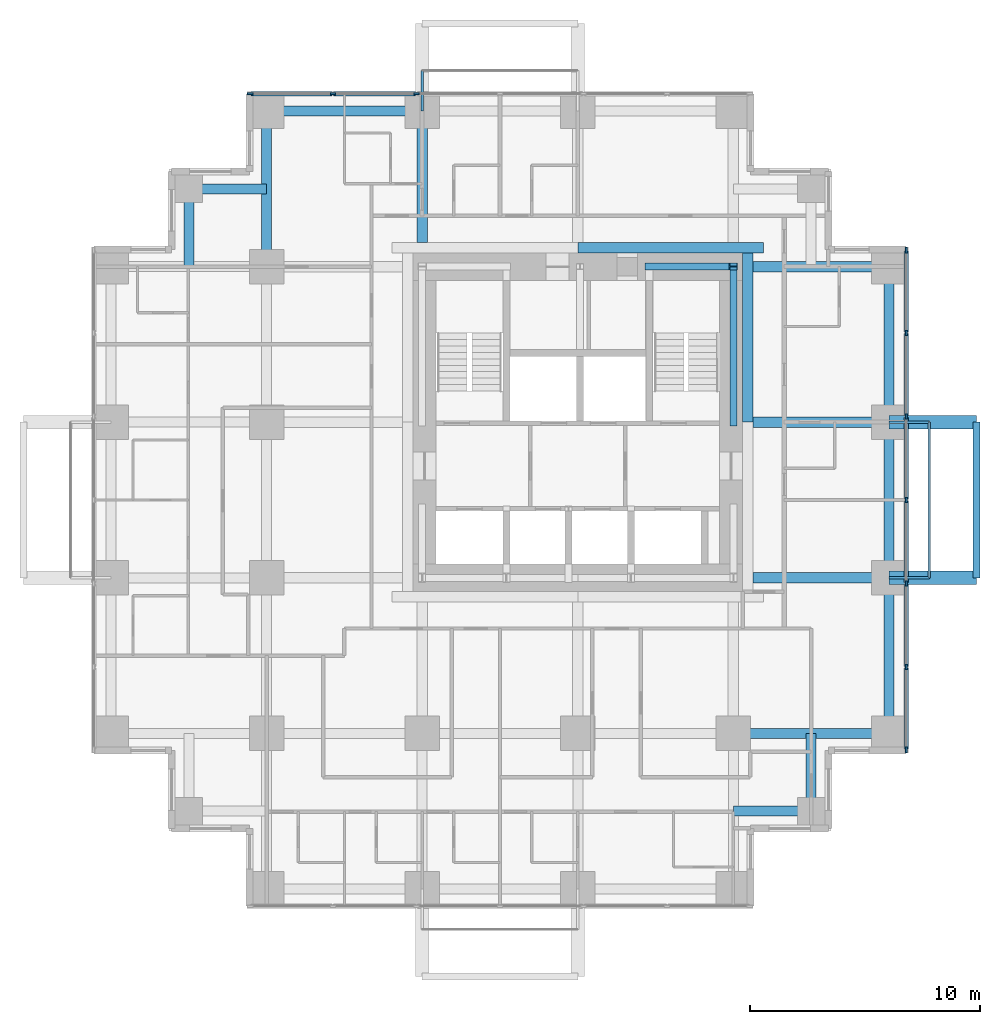
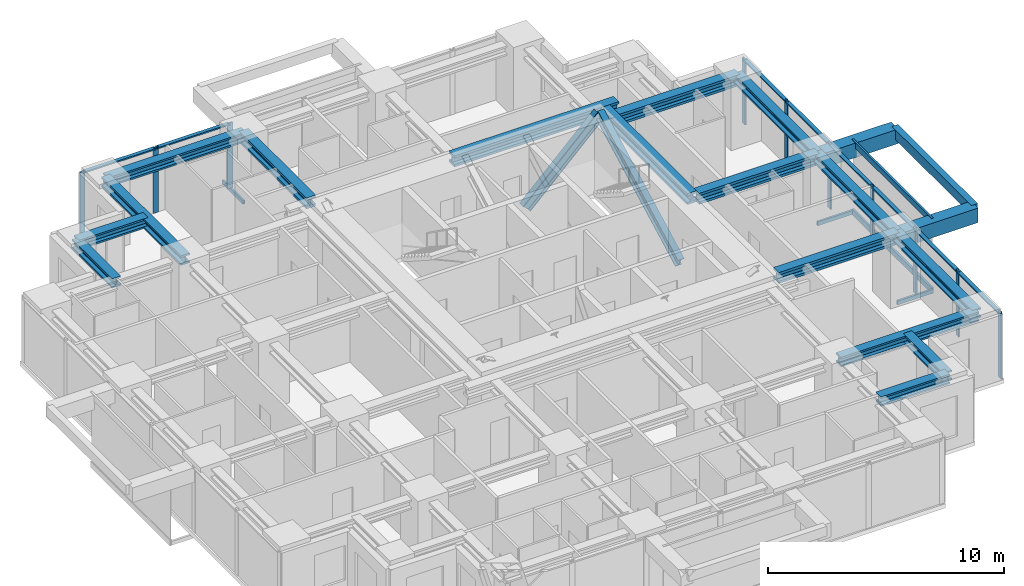
# One storey, part 3 of 10: 25 members, 19 beams, 2 elements without a shape of their own.
"""IFC4 building model written with IfcOpenShell, lengths in metres."""

from ifc_helpers import new_model, si_unit, direction, frame, origin, origin_2d, place, context, subcontext, project, spatial, rectangle, hollow_rectangle, i_section, extrude, material, material_profile, profile_set, type_object, element, aggregate, save


model = new_model("IFC4")

# Units and contexts
model_context = context("Model", 3, precision=1e-05, world=origin(), true_north=direction((0.0, 1.0)))
body_context = subcontext(model_context, "Body", "Model", "MODEL_VIEW")
ifc_project = project(units=[si_unit("LENGTHUNIT", "METRE"), si_unit("AREAUNIT", "SQUARE_METRE"), si_unit("VOLUMEUNIT", "CUBIC_METRE"), si_unit("PLANEANGLEUNIT", "RADIAN"), si_unit("MASSUNIT", "GRAM", prefix="KILO")], contexts=[model_context])

# Site, building, storey
site_placement = place(None, origin())
site = spatial("IfcSite", under=ifc_project, at=site_placement, CompositionType="ELEMENT")
building_placement = place(site_placement, origin())
building = spatial("IfcBuilding", under=site, at=building_placement, Name="Nyansa Garden Tower", CompositionType="ELEMENT")
storey_placement = place(building_placement, frame((0.0, 0.0, 153.0)))
storey = spatial("IfcBuildingStorey", under=building, at=storey_placement, Name="L41", CompositionType="ELEMENT", Elevation=153.0)

# Beams
ifc_material_1 = material(Name="Concrete C70/85", Category="concrete")
ifc_material_profile_1 = material_profile(ifc_material_1, rectangle(XDim=0.60009765625, YDim=0.75, at=origin_2d()), Name="RC 600x750")
ifc_profile_set_1 = profile_set([ifc_material_profile_1], Name="Concrete C70/85")
beam_type_1 = type_object("IfcBeamType", Name="Balcony cantilever beam CB1 RC 600x750", PredefinedType="BEAM", material=ifc_profile_set_1)
for number, where, z_axis, x_axis, name in (
    (1, (33.75, 13.5, 2.985107421875), (1.0, 0.0, 0.0), (0.0, 1.0, 0.0), "Balcony cantilever beam L42"),
    (2, (33.75, 20.25, 2.985107421875), (1.0, 0.0, 0.0), (0.0, 1.0, 0.0), "Balcony cantilever beam L42"),
):
    element("IfcBeam", number, at=place(storey_placement, frame(where, z_axis=z_axis, x_axis=x_axis)), inside=storey, type_object=beam_type_1, Name=name, PredefinedType="BEAM", context=body_context, shape_type="SweptSolid", body=[
        extrude(rectangle(XDim=0.60009765625, YDim=0.75, at=origin_2d()), origin(), (0.0, 0.0, 1.0), 3.800048828125),
    ])
ifc_material_2 = material(Name="Concrete C70/85", Category="concrete")
ifc_material_profile_2 = material_profile(ifc_material_2, rectangle(XDim=0.300048828125, YDim=0.5, at=origin_2d()), Name="RC 300x500")
ifc_profile_set_2 = profile_set([ifc_material_profile_2], Name="Concrete C70/85")
beam_type_2 = type_object("IfcBeamType", Name="Balcony edge beam BE1 RC 300x500", PredefinedType="BEAM", material=ifc_profile_set_2)
beam_1_placement = place(storey_placement, frame((37.550048828125, 13.5, 3.110107421875), z_axis=(0.0, 1.0, 0.0), x_axis=(-1.0, 0.0, 0.0)))
element("IfcBeam", 3, at=beam_1_placement, inside=storey, type_object=beam_type_2, Name="Balcony edge beam L42", PredefinedType="BEAM", context=body_context, shape_type="SweptSolid", body=[
    extrude(rectangle(XDim=0.300048828125, YDim=0.5, at=origin_2d()), origin(), (0.0, 0.0, 1.0), 6.75),
])

# Curtain wall, members
ifc_material_3 = material(Name="Black anodised aluminium, dark tinted double glazing", Category="aluminium")
curtain_wall_type = type_object("IfcCurtainWallType", Name="Inner skin curtain wall ISW-C", PredefinedType="USERDEFINED", material=ifc_material_3)
curtain_wall_1_placement = place(storey_placement, origin())
curtain_wall_1 = element("IfcCurtainWall", 4, at=curtain_wall_1_placement, inside=storey, type_object=curtain_wall_type, Name="Inner skin curtain wall L41 E", ObjectType="UNITISED CURTAIN WALL", PredefinedType="USERDEFINED")
ifc_material_4 = material(Name="Black anodised aluminium", Category="aluminium")
ifc_material_profile_3 = material_profile(ifc_material_4, rectangle(XDim=0.070068359375, YDim=0.25, at=origin_2d()), Name="Mullion 250x70")
ifc_profile_set_3 = profile_set([ifc_material_profile_3], Name="Black anodised aluminium")
member_type_1 = type_object("IfcMemberType", Name="Mullion ISW-C 250x70", PredefinedType="MULLION", material=ifc_profile_set_3)
member_1_placement = place(storey_placement, frame((34.5, 6.034912109375, 0.0), z_axis=(0.0, 0.0, 1.0), x_axis=(-1.0, 0.0, 0.0)))
member_1 = element("IfcMember", 5, at=member_1_placement, type_object=member_type_1, Name="ISW-C mullion 1", PredefinedType="MULLION", context=body_context, shape_type="SweptSolid", body=[
    extrude(rectangle(XDim=0.070068359375, YDim=0.25, at=origin_2d()), origin(), (0.0, 0.0, 1.0), 3.375),
])
member_2_placement = place(storey_placement, frame((34.5, 9.625, 0.0), z_axis=(0.0, 0.0, 1.0), x_axis=(-1.0, 0.0, 0.0)))
member_2 = element("IfcMember", 6, at=member_2_placement, type_object=member_type_1, Name="ISW-C mullion 2", PredefinedType="MULLION", context=body_context, shape_type="SweptSolid", body=[
    extrude(rectangle(XDim=0.070068359375, YDim=0.25, at=origin_2d()), origin(), (0.0, 0.0, 1.0), 3.375),
])
member_3_placement = place(storey_placement, frame((34.5, 13.25, 0.0), z_axis=(0.0, 0.0, 1.0), x_axis=(-1.0, 0.0, 0.0)))
member_3 = element("IfcMember", 7, at=member_3_placement, type_object=member_type_1, Name="ISW-C mullion 3", PredefinedType="MULLION", context=body_context, shape_type="SweptSolid", body=[
    extrude(rectangle(XDim=0.070068359375, YDim=0.25, at=origin_2d()), origin(), (0.0, 0.0, 1.0), 3.375),
])
member_4_placement = place(storey_placement, frame((34.5, 16.875, 0.0), z_axis=(0.0, 0.0, 1.0), x_axis=(-1.0, 0.0, 0.0)))
member_4 = element("IfcMember", 8, at=member_4_placement, type_object=member_type_1, Name="ISW-C mullion 4", PredefinedType="MULLION", context=body_context, shape_type="SweptSolid", body=[
    extrude(rectangle(XDim=0.070068359375, YDim=0.25, at=origin_2d()), origin(), (0.0, 0.0, 1.0), 3.375),
])
member_5_placement = place(storey_placement, frame((34.5, 20.5, 0.0), z_axis=(0.0, 0.0, 1.0), x_axis=(-1.0, 0.0, 0.0)))
member_5 = element("IfcMember", 9, at=member_5_placement, type_object=member_type_1, Name="ISW-C mullion 5", PredefinedType="MULLION", context=body_context, shape_type="SweptSolid", body=[
    extrude(rectangle(XDim=0.070068359375, YDim=0.25, at=origin_2d()), origin(), (0.0, 0.0, 1.0), 3.375),
])
member_6_placement = place(storey_placement, frame((34.5, 24.125, 0.0), z_axis=(0.0, 0.0, 1.0), x_axis=(-1.0, 0.0, 0.0)))
member_6 = element("IfcMember", 10, at=member_6_placement, type_object=member_type_1, Name="ISW-C mullion 6", PredefinedType="MULLION", context=body_context, shape_type="SweptSolid", body=[
    extrude(rectangle(XDim=0.070068359375, YDim=0.25, at=origin_2d()), origin(), (0.0, 0.0, 1.0), 3.375),
])
member_7_placement = place(storey_placement, frame((34.5, 27.715087890625, 0.0), z_axis=(0.0, 0.0, 1.0), x_axis=(-1.0, 0.0, 0.0)))
member_7 = element("IfcMember", 11, at=member_7_placement, type_object=member_type_1, Name="ISW-C mullion 7", PredefinedType="MULLION", context=body_context, shape_type="SweptSolid", body=[
    extrude(rectangle(XDim=0.070068359375, YDim=0.25, at=origin_2d()), origin(), (0.0, 0.0, 1.0), 3.375),
])

curtain_wall_2_placement = place(storey_placement, origin())
curtain_wall_2 = element("IfcCurtainWall", 12, at=curtain_wall_2_placement, inside=storey, type_object=curtain_wall_type, Name="Inner skin curtain wall L41 N", ObjectType="UNITISED CURTAIN WALL", PredefinedType="USERDEFINED")
member_8_placement = place(storey_placement, frame((13.25, 34.5, 0.0), z_axis=(0.0, 0.0, 1.0), x_axis=(0.0, -1.0, 0.0)))
member_8 = element("IfcMember", 13, at=member_8_placement, type_object=member_type_1, Name="ISW-C mullion 5", PredefinedType="MULLION", context=body_context, shape_type="SweptSolid", body=[
    extrude(rectangle(XDim=0.070068359375, YDim=0.25, at=origin_2d()), origin(), (0.0, 0.0, 1.0), 3.375),
])
member_9_placement = place(storey_placement, frame((9.625, 34.5, 0.0), z_axis=(0.0, 0.0, 1.0), x_axis=(0.0, -1.0, 0.0)))
member_9 = element("IfcMember", 14, at=member_9_placement, type_object=member_type_1, Name="ISW-C mullion 6", PredefinedType="MULLION", context=body_context, shape_type="SweptSolid", body=[
    extrude(rectangle(XDim=0.070068359375, YDim=0.25, at=origin_2d()), origin(), (0.0, 0.0, 1.0), 3.375),
])
member_10_placement = place(storey_placement, frame((6.034912109375, 34.5, 0.0), z_axis=(0.0, 0.0, 1.0), x_axis=(0.0, -1.0, 0.0)))
member_10 = element("IfcMember", 15, at=member_10_placement, type_object=member_type_1, Name="ISW-C mullion 7", PredefinedType="MULLION", context=body_context, shape_type="SweptSolid", body=[
    extrude(rectangle(XDim=0.070068359375, YDim=0.25, at=origin_2d()), origin(), (0.0, 0.0, 1.0), 3.375),
])

# Members
ifc_material_5 = material(Name="Steel S355, black powder coated", Category="steel")
ifc_material_profile_4 = material_profile(ifc_material_5, hollow_rectangle(XDim=0.10009765625, YDim=0.199951171875, WallThickness=0.008056640625, at=origin_2d()), Name="RHS 200x100x8")
ifc_profile_set_4 = profile_set([ifc_material_profile_4], Name="Steel S355, black powder coated")
member_type_2 = type_object("IfcMemberType", Name="Outer skin bracket arm RHS 200x100x8", PredefinedType="USERDEFINED", material=ifc_profile_set_4)
for number, where, z_axis, x_axis, name in (
    (16, (33.75, 13.5, -0.375), (1.0, 0.0, 0.0), (0.0, 1.0, 0.0), "Outer skin bracket arm"),
    (17, (33.75, 20.25, -0.375), (1.0, 0.0, 0.0), (0.0, 1.0, 0.0), "Outer skin bracket arm"),
    (18, (13.5, 33.75, -0.375), (0.0, 1.0, 0.0), (-1.0, 0.0, 0.0), "Outer skin bracket arm"),
):
    element("IfcMember", number, at=place(storey_placement, frame(where, z_axis=z_axis, x_axis=x_axis)), inside=storey, type_object=member_type_2, Name=name, ObjectType="OUTER SKIN BRACKET", PredefinedType="USERDEFINED", context=body_context, shape_type="SweptSolid", body=[
        extrude(hollow_rectangle(XDim=0.10009765625, YDim=0.199951171875, WallThickness=0.008056640625, at=origin_2d()), origin(), (0.0, 0.0, 1.0), 1.75),
    ])
ifc_material_6 = material(Name="Steel S355, black powder coated", Category="steel")
ifc_material_profile_5 = material_profile(ifc_material_6, hollow_rectangle(XDim=0.10009765625, YDim=0.300048828125, WallThickness=0.010009765625, at=origin_2d()), Name="RHS 300x100x10")
ifc_profile_set_5 = profile_set([ifc_material_profile_5], Name="Steel S355, black powder coated")
member_type_3 = type_object("IfcMemberType", Name="Outer skin rail RHS 300x100x10", PredefinedType="USERDEFINED", material=ifc_profile_set_5)
for number, where, z_axis, x_axis, name in (
    (19, (35.5, 13.5, -0.375), (0.0, 1.0, 0.0), (-1.0, 0.0, 0.0), "Outer skin rail L41"),
    (20, (35.5, 13.5, 3.22509765625), (0.0, 1.0, 0.0), (-1.0, 0.0, 0.0), "Outer skin rail L41 head"),
):
    element("IfcMember", number, at=place(storey_placement, frame(where, z_axis=z_axis, x_axis=x_axis)), inside=storey, type_object=member_type_3, Name=name, ObjectType="OUTER SKIN RAIL", PredefinedType="USERDEFINED", context=body_context, shape_type="SweptSolid", body=[
        extrude(hollow_rectangle(XDim=0.10009765625, YDim=0.300048828125, WallThickness=0.010009765625, at=origin_2d()), origin(), (0.0, 0.0, 1.0), 6.75),
    ])
ifc_material_7 = material(Name="Steel S355", Category="steel")
ifc_material_profile_6 = material_profile(ifc_material_7, i_section(OverallWidth=0.305908203125, OverallDepth=0.52392578125, WebThickness=0.02099609375, FlangeThickness=0.0400390625, FilletRadius=0.027099609375, at=origin_2d()), Name="HE 500 M")
ifc_profile_set_6 = profile_set([ifc_material_profile_6], Name="Steel S355")
member_type_4 = type_object("IfcMemberType", Name="Perimeter brace HE 500 M", PredefinedType="BRACE", material=ifc_profile_set_6)
member_11_placement = place(storey_placement, frame((23.35009765625, 27.0, 0.0), z_axis=(0.711947531702, 0.0, 0.702232662373), x_axis=(0.0, 1.0, 0.0)))
element("IfcMember", 21, at=member_11_placement, inside=storey, type_object=member_type_4, Name="Core brace CN4 L41", PredefinedType="BRACE", context=body_context, shape_type="SweptSolid", body=[
    extrude(i_section(OverallWidth=0.305908203125, OverallDepth=0.52392578125, WebThickness=0.02099609375, FlangeThickness=0.0400390625, FilletRadius=0.027099609375, at=origin_2d()), origin(), (0.0, 0.0, 1.0), 5.126708984375),
])
member_12_placement = place(storey_placement, frame((27.0, 20.199951171875, 0.0), z_axis=(0.0, 0.883784057226, 0.467895009796), x_axis=(-1.0, 0.0, 0.0)))
element("IfcMember", 22, at=member_12_placement, inside=storey, type_object=member_type_4, Name="Core brace CE8 L41", PredefinedType="BRACE", context=body_context, shape_type="SweptSolid", body=[
    extrude(i_section(OverallWidth=0.305908203125, OverallDepth=0.52392578125, WebThickness=0.02099609375, FlangeThickness=0.0400390625, FilletRadius=0.027099609375, at=origin_2d()), origin(), (0.0, 0.0, 1.0), 7.6943359375),
])

# Beams
ifc_material_8 = material(Name="Steel S355", Category="steel")
ifc_material_profile_7 = material_profile(ifc_material_8, i_section(OverallWidth=0.431884765625, OverallDepth=0.498046875, WebThickness=0.0556640625, FlangeThickness=0.0888671875, FilletRadius=0.014892578125, at=origin_2d()), Name="HD 400x744")
ifc_profile_set_7 = profile_set([ifc_material_profile_7], Name="Steel S355")
beam_type_3 = type_object("IfcBeamType", Name="Steel beam SBC1-744 HD 400x744", PredefinedType="BEAM", material=ifc_profile_set_7)
for number, where, z_axis, x_axis, name in (
    (23, (6.75, 27.0, 3.1259765625), (0.0, 1.0, 0.0), (-1.0, 0.0, 0.0), "Steel beam 3/H-3/J L42"),
    (24, (27.0, 6.75, 3.1259765625), (1.0, 0.0, 0.0), (0.0, 1.0, 0.0), "Steel beam 6/E-7/E L42"),
):
    element("IfcBeam", number, at=place(storey_placement, frame(where, z_axis=z_axis, x_axis=x_axis)), inside=storey, type_object=beam_type_3, Name=name, PredefinedType="BEAM", context=body_context, shape_type="SweptSolid", body=[
        extrude(i_section(OverallWidth=0.431884765625, OverallDepth=0.498046875, WebThickness=0.0556640625, FlangeThickness=0.0888671875, FilletRadius=0.014892578125, at=origin_2d()), origin(), (0.0, 0.0, 1.0), 6.75),
    ])
ifc_material_9 = material(Name="Steel S355", Category="steel")
ifc_material_profile_8 = material_profile(ifc_material_9, i_section(OverallWidth=0.4541015625, OverallDepth=0.569091796875, WebThickness=0.077880859375, FlangeThickness=0.125, FilletRadius=0.014892578125, at=origin_2d()), Name="HD 400x1086")
ifc_profile_set_8 = profile_set([ifc_material_profile_8], Name="Steel S355")
beam_type_4 = type_object("IfcBeamType", Name="Steel beam SCL-1086 HD 400x1086", PredefinedType="BEAM", material=ifc_profile_set_8)
beam_2_placement = place(storey_placement, frame((13.5, 28.050048828125, 3.090576171875), z_axis=(0.0, 1.0, 0.0), x_axis=(-1.0, 0.0, 0.0)))
element("IfcBeam", 25, at=beam_2_placement, inside=storey, type_object=beam_type_4, Name="Steel beam 4/28.050-4/J L42", PredefinedType="BEAM", context=body_context, shape_type="SweptSolid", body=[
    extrude(i_section(OverallWidth=0.4541015625, OverallDepth=0.569091796875, WebThickness=0.077880859375, FlangeThickness=0.125, FilletRadius=0.014892578125, at=origin_2d()), origin(), (0.0, 0.0, 1.0), 5.699951171875),
])
for number, where, z_axis, x_axis, name in (
    (26, (27.85009765625, 13.5, 3.090576171875), (1.0, 0.0, 0.0), (0.0, 1.0, 0.0), "Steel beam 27.850/F-7/F L42"),
    (27, (27.85009765625, 20.25, 3.090576171875), (1.0, 0.0, 0.0), (0.0, 1.0, 0.0), "Steel beam 27.850/G-7/G L42"),
    (28, (27.85009765625, 27.0, 3.090576171875), (1.0, 0.0, 0.0), (0.0, 1.0, 0.0), "Steel beam 27.850/H-7/H L42"),
):
    element("IfcBeam", number, at=place(storey_placement, frame(where, z_axis=z_axis, x_axis=x_axis)), inside=storey, type_object=beam_type_4, Name=name, PredefinedType="BEAM", context=body_context, shape_type="SweptSolid", body=[
        extrude(i_section(OverallWidth=0.4541015625, OverallDepth=0.569091796875, WebThickness=0.077880859375, FlangeThickness=0.125, FilletRadius=0.014892578125, at=origin_2d()), origin(), (0.0, 0.0, 1.0), 5.89990234375),
    ])
beam_3_placement = place(storey_placement, frame((27.626953125, 20.25, 3.090576171875), z_axis=(0.0, 1.0, 0.0), x_axis=(-1.0, 0.0, 0.0)))
element("IfcBeam", 29, at=beam_3_placement, inside=storey, type_object=beam_type_4, Name="Steel core ledger beam E.2 L42", PredefinedType="BEAM", context=body_context, shape_type="SweptSolid", body=[
    extrude(i_section(OverallWidth=0.4541015625, OverallDepth=0.569091796875, WebThickness=0.077880859375, FlangeThickness=0.125, FilletRadius=0.014892578125, at=origin_2d()), origin(), (0.0, 0.0, 1.0), 7.35009765625),
])
beam_4_placement = place(storey_placement, frame((28.300048828125, 27.826904296875, 3.090576171875), z_axis=(-1.0, 0.0, 0.0), x_axis=(0.0, -1.0, 0.0)))
element("IfcBeam", 30, at=beam_4_placement, inside=storey, type_object=beam_type_4, Name="Steel core ledger beam N.1 L42", PredefinedType="BEAM", context=body_context, shape_type="SweptSolid", body=[
    extrude(i_section(OverallWidth=0.4541015625, OverallDepth=0.569091796875, WebThickness=0.077880859375, FlangeThickness=0.125, FilletRadius=0.014892578125, at=origin_2d()), origin(), (0.0, 0.0, 1.0), 8.050048828125),
])
ifc_material_10 = material(Name="Steel S355", Category="steel")
ifc_material_profile_9 = material_profile(ifc_material_10, i_section(OverallWidth=0.431884765625, OverallDepth=0.498046875, WebThickness=0.0556640625, FlangeThickness=0.0888671875, FilletRadius=0.014892578125, at=origin_2d()), Name="HD 400x744")
ifc_profile_set_9 = profile_set([ifc_material_profile_9], Name="Steel S355")
beam_type_5 = type_object("IfcBeamType", Name="Steel beam SEBC-744 HD 400x744", PredefinedType="BEAM", material=ifc_profile_set_9)
for number, where, z_axis, x_axis, name in (
    (31, (6.75, 33.75, 3.1259765625), (1.0, 0.0, 0.0), (0.0, 1.0, 0.0), "Steel edge beam 3/J-4/J L42"),
    (32, (33.75, 6.75, 3.1259765625), (0.0, 1.0, 0.0), (-1.0, 0.0, 0.0), "Steel edge beam 7/E-7/F L42"),
    (33, (33.75, 13.5, 3.1259765625), (0.0, 1.0, 0.0), (-1.0, 0.0, 0.0), "Steel edge beam 7/F-7/G L42"),
    (34, (33.75, 20.25, 3.1259765625), (0.0, 1.0, 0.0), (-1.0, 0.0, 0.0), "Steel edge beam 7/G-7/H L42"),
):
    element("IfcBeam", number, at=place(storey_placement, frame(where, z_axis=z_axis, x_axis=x_axis)), inside=storey, type_object=beam_type_5, Name=name, PredefinedType="BEAM", context=body_context, shape_type="SweptSolid", body=[
        extrude(i_section(OverallWidth=0.431884765625, OverallDepth=0.498046875, WebThickness=0.0556640625, FlangeThickness=0.0888671875, FilletRadius=0.014892578125, at=origin_2d()), origin(), (0.0, 0.0, 1.0), 6.75),
    ])
ifc_material_11 = material(Name="Steel S355", Category="steel")
ifc_material_profile_10 = material_profile(ifc_material_11, i_section(OverallWidth=0.431884765625, OverallDepth=0.498046875, WebThickness=0.0556640625, FlangeThickness=0.0888671875, FilletRadius=0.014892578125, at=origin_2d()), Name="HD 400x744")
ifc_profile_set_10 = profile_set([ifc_material_profile_10], Name="Steel S355")
beam_type_6 = type_object("IfcBeamType", Name="Steel beam SSB1-744 HD 400x744", PredefinedType="BEAM", material=ifc_profile_set_10)
for number, where, z_axis, x_axis, name in (
    (35, (30.375, 3.375, 3.1259765625), (0.0, 1.0, 0.0), (-1.0, 0.0, 0.0), "Steel step beam 30.375/3.375 L42"),
    (36, (30.375, 3.375, 3.1259765625), (-1.0, 0.0, 0.0), (0.0, -1.0, 0.0), "Steel step beam 30.375/3.375 L42"),
    (37, (3.375, 30.375, 3.1259765625), (0.0, -1.0, 0.0), (1.0, 0.0, 0.0), "Steel step beam 3.375/30.375 L42"),
    (38, (3.375, 30.375, 3.1259765625), (1.0, 0.0, 0.0), (0.0, 1.0, 0.0), "Steel step beam 3.375/30.375 L42"),
):
    element("IfcBeam", number, at=place(storey_placement, frame(where, z_axis=z_axis, x_axis=x_axis)), inside=storey, type_object=beam_type_6, Name=name, PredefinedType="BEAM", context=body_context, shape_type="SweptSolid", body=[
        extrude(i_section(OverallWidth=0.431884765625, OverallDepth=0.498046875, WebThickness=0.0556640625, FlangeThickness=0.0888671875, FilletRadius=0.014892578125, at=origin_2d()), origin(), (0.0, 0.0, 1.0), 3.375),
    ])

# Member
ifc_material_12 = material(Name="Black anodised aluminium", Category="aluminium")
ifc_material_profile_11 = material_profile(ifc_material_12, rectangle(XDim=0.179931640625, YDim=0.070068359375, at=origin_2d()), Name="Transom 180x70")
ifc_profile_set_11 = profile_set([ifc_material_profile_11], Name="Black anodised aluminium")
member_type_5 = type_object("IfcMemberType", Name="Transom ISW-C 180x70", PredefinedType="USERDEFINED", material=ifc_profile_set_11)
member_13_placement = place(storey_placement, frame((34.5, 6.070068359375, 3.340087890625), z_axis=(0.0, 1.0, 0.0), x_axis=(-1.0, 0.0, 0.0)))
member_13 = element("IfcMember", 39, at=member_13_placement, type_object=member_type_5, Name="ISW-C transom 1", ObjectType="TRANSOM", PredefinedType="USERDEFINED", context=body_context, shape_type="SweptSolid", body=[
    extrude(rectangle(XDim=0.179931640625, YDim=0.070068359375, at=origin_2d()), origin(), (0.0, 0.0, 1.0), 3.52001953125),
])

member_14_placement = place(storey_placement, frame((34.5, 9.659912109375, 3.340087890625), z_axis=(0.0, 1.0, 0.0), x_axis=(-1.0, 0.0, 0.0)))
member_14 = element("IfcMember", 40, at=member_14_placement, type_object=member_type_5, Name="ISW-C transom 2", ObjectType="TRANSOM", PredefinedType="USERDEFINED", context=body_context, shape_type="SweptSolid", body=[
    extrude(rectangle(XDim=0.179931640625, YDim=0.070068359375, at=origin_2d()), origin(), (0.0, 0.0, 1.0), 3.55517578125),
])

member_15_placement = place(storey_placement, frame((34.5, 13.284912109375, 3.340087890625), z_axis=(0.0, 1.0, 0.0), x_axis=(-1.0, 0.0, 0.0)))
member_15 = element("IfcMember", 41, at=member_15_placement, type_object=member_type_5, Name="ISW-C transom 3", ObjectType="TRANSOM", PredefinedType="USERDEFINED", context=body_context, shape_type="SweptSolid", body=[
    extrude(rectangle(XDim=0.179931640625, YDim=0.070068359375, at=origin_2d()), origin(), (0.0, 0.0, 1.0), 3.55517578125),
])

member_16_placement = place(storey_placement, frame((34.5, 16.909912109375, 3.340087890625), z_axis=(0.0, 1.0, 0.0), x_axis=(-1.0, 0.0, 0.0)))
member_16 = element("IfcMember", 42, at=member_16_placement, type_object=member_type_5, Name="ISW-C transom 4", ObjectType="TRANSOM", PredefinedType="USERDEFINED", context=body_context, shape_type="SweptSolid", body=[
    extrude(rectangle(XDim=0.179931640625, YDim=0.070068359375, at=origin_2d()), origin(), (0.0, 0.0, 1.0), 3.55517578125),
])

member_17_placement = place(storey_placement, frame((34.5, 20.534912109375, 3.340087890625), z_axis=(0.0, 1.0, 0.0), x_axis=(-1.0, 0.0, 0.0)))
member_17 = element("IfcMember", 43, at=member_17_placement, type_object=member_type_5, Name="ISW-C transom 5", ObjectType="TRANSOM", PredefinedType="USERDEFINED", context=body_context, shape_type="SweptSolid", body=[
    extrude(rectangle(XDim=0.179931640625, YDim=0.070068359375, at=origin_2d()), origin(), (0.0, 0.0, 1.0), 3.55517578125),
])

member_18_placement = place(storey_placement, frame((34.5, 24.159912109375, 3.340087890625), z_axis=(0.0, 1.0, 0.0), x_axis=(-1.0, 0.0, 0.0)))
member_18 = element("IfcMember", 44, at=member_18_placement, type_object=member_type_5, Name="ISW-C transom 6", ObjectType="TRANSOM", PredefinedType="USERDEFINED", context=body_context, shape_type="SweptSolid", body=[
    extrude(rectangle(XDim=0.179931640625, YDim=0.070068359375, at=origin_2d()), origin(), (0.0, 0.0, 1.0), 3.52001953125),
])

aggregate(curtain_wall_1, [member_1, member_2, member_3, member_4, member_5, member_6, member_7, member_13, member_14, member_15, member_16, member_17, member_18])

member_19_placement = place(storey_placement, frame((13.215087890625, 34.5, 3.340087890625), z_axis=(-1.0, 0.0, 0.0), x_axis=(0.0, -1.0, 0.0)))
member_19 = element("IfcMember", 45, at=member_19_placement, type_object=member_type_5, Name="ISW-C transom 5", ObjectType="TRANSOM", PredefinedType="USERDEFINED", context=body_context, shape_type="SweptSolid", body=[
    extrude(rectangle(XDim=0.179931640625, YDim=0.070068359375, at=origin_2d()), origin(), (0.0, 0.0, 1.0), 3.55517578125),
])

member_20_placement = place(storey_placement, frame((9.590087890625, 34.5, 3.340087890625), z_axis=(-1.0, 0.0, 0.0), x_axis=(0.0, -1.0, 0.0)))
member_20 = element("IfcMember", 46, at=member_20_placement, type_object=member_type_5, Name="ISW-C transom 6", ObjectType="TRANSOM", PredefinedType="USERDEFINED", context=body_context, shape_type="SweptSolid", body=[
    extrude(rectangle(XDim=0.179931640625, YDim=0.070068359375, at=origin_2d()), origin(), (0.0, 0.0, 1.0), 3.52001953125),
])

aggregate(curtain_wall_2, [member_8, member_9, member_10, member_19, member_20])

save(model, "model.ifc")
